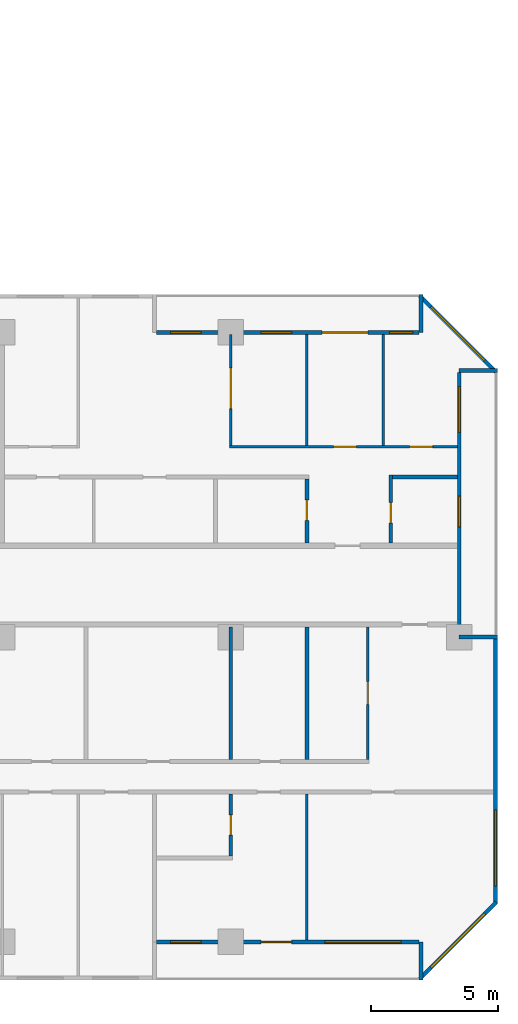
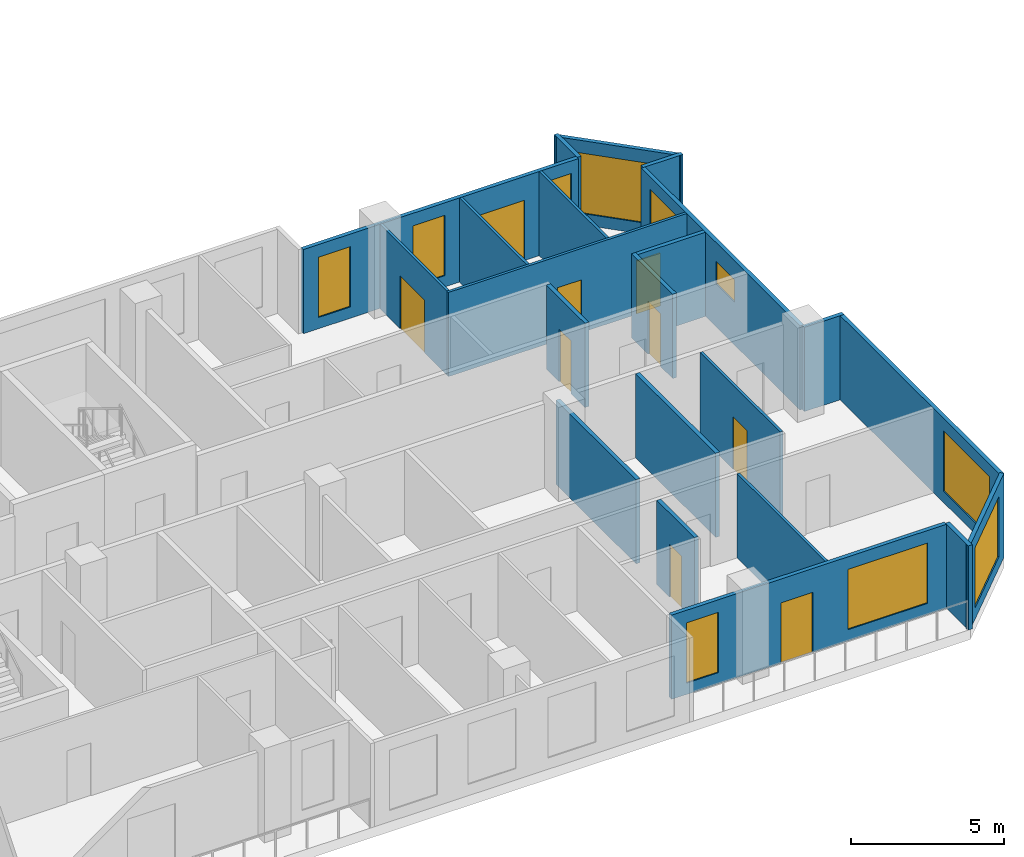
# One storey, part 12 of 15: 22 walls, 10 windows, 9 doors, 19 openings.
"""IFC4 building model written with IfcOpenShell, lengths in metres."""

from ifc_helpers import new_model, si_unit, direction, frame, frame_2d, origin, place, context, subcontext, project, spatial, rectangle, extrude, material, layer, layer_set, type_object, element, fill, save


model = new_model("IFC4")

# Units and contexts
model_context = context("Model", 3, precision=1e-05, world=origin(), true_north=direction((0.0, 1.0)))
body_context = subcontext(model_context, "Body", "Model", "MODEL_VIEW")
ifc_project = project(units=[si_unit("LENGTHUNIT", "METRE"), si_unit("AREAUNIT", "SQUARE_METRE"), si_unit("VOLUMEUNIT", "CUBIC_METRE"), si_unit("PLANEANGLEUNIT", "RADIAN"), si_unit("MASSUNIT", "GRAM", prefix="KILO")], contexts=[model_context])

# Site, building, storey
site_placement = place(None, origin())
site = spatial("IfcSite", under=ifc_project, at=site_placement, CompositionType="ELEMENT")
building_placement = place(site_placement, origin())
building = spatial("IfcBuilding", under=site, at=building_placement, Name="Chenar Terraces", CompositionType="ELEMENT")
storey_placement = place(building_placement, frame((0.0, 0.0, 133.14990234375)))
storey = spatial("IfcBuildingStorey", under=building, at=storey_placement, Name="L31", CompositionType="ELEMENT", Elevation=133.14990234375)

# Wall, opening, window
ifc_material_1 = material(Name="Aluminium framed glazing", Category="aluminium")
ifc_layer_1 = layer(ifc_material_1, 0.14990234375)
ifc_layer_set_1 = layer_set([ifc_layer_1], Name="Aluminium framed glazing")
wall_type_1 = type_object("IfcWallType", Name="Glazed flush facade wall 150", PredefinedType="SOLIDWALL", material=ifc_layer_set_1)
wall_1_placement = place(storey_placement, frame((73.425048828125, 1.5, 0.0), z_axis=(0.0, 0.0, 1.0), x_axis=(0.0, 1.0, 0.0)))
wall_1 = element("IfcWall", 1, at=wall_1_placement, inside=storey, type_object=wall_type_1, Name="Glazed flush facade wall", PredefinedType="SOLIDWALL", context=body_context, shape_type="SweptSolid", body=[
    extrude(rectangle(XDim=10.425048828125, YDim=0.14990234375, at=frame_2d((5.21240234375, 0.0))), origin(), (0.0, 0.0, 1.0), 3.35009765625),
])
opening_1_placement = place(wall_1_placement, frame((0.699951171875, 0.0, 0.449951171875)))
opening_1 = element("IfcOpeningElement", 2, at=opening_1_placement, cuts=wall_1, Name="Opening W300x240", PredefinedType="OPENING", context=body_context, shape_type="SweptSolid", body=[
    extrude(rectangle(XDim=3.0, YDim=2.39990234375, at=frame_2d((1.5, 1.199951171875))), frame((0.0, 0.0849609375, 0.0), z_axis=(0.0, -1.0, 0.0), x_axis=(1.0, 0.0, 0.0)), (0.0, 0.0, 1.0), 0.169921875),
])
ifc_material_2 = material(Name="Low emissivity double glazing, aluminium frame", Category="aluminium")
window_type_1 = type_object("IfcWindowType", Name="Fixed light 3000 x 2400", PartitioningType="SINGLE_PANEL", PredefinedType="WINDOW", material=ifc_material_2)
window_1_placement = place(opening_1_placement, origin())
window_1 = element("IfcWindow", 3, at=window_1_placement, inside=storey, type_object=window_type_1, Name="Window", OverallHeight=2.39990234375, OverallWidth=3.0, PartitioningType="SINGLE_PANEL", PredefinedType="WINDOW", context=body_context, shape_type="SweptSolid", body=[
    extrude(rectangle(XDim=3.0, YDim=2.39990234375, at=frame_2d((1.5, 1.199951171875))), frame((0.0, 0.030029296875, 0.0), z_axis=(0.0, -1.0, 0.0), x_axis=(1.0, 0.0, 0.0)), (0.0, 0.0, 1.0), 0.06005859375),
])
fill(opening_1, window_1)

# Wall, openings, windows, door
ifc_material_3 = material(Name="Aluminium framed glazing", Category="aluminium")
ifc_layer_2 = layer(ifc_material_3, 0.14990234375)
ifc_layer_set_2 = layer_set([ifc_layer_2], Name="Aluminium framed glazing")
wall_type_2 = type_object("IfcWallType", Name="Glazed loggia back wall 150", PredefinedType="SOLIDWALL", material=ifc_layer_set_2)
wall_2_placement = place(storey_placement, frame((70.425048828125, 24.0, 0.0), z_axis=(0.0, 0.0, 1.0), x_axis=(-1.0, 0.0, 0.0)))
wall_2 = element("IfcWall", 4, at=wall_2_placement, inside=storey, type_object=wall_type_2, Name="Glazed loggia back wall", PredefinedType="SOLIDWALL", context=body_context, shape_type="SweptSolid", body=[
    extrude(rectangle(XDim=10.35009765625, YDim=0.14990234375, at=frame_2d((5.175048828125, 0.0))), origin(), (0.0, 0.0, 1.0), 3.35009765625),
])
opening_2_placement = place(wall_2_placement, frame((0.262451171875, 0.0, 0.449951171875)))
opening_2 = element("IfcOpeningElement", 5, at=opening_2_placement, cuts=wall_2, Name="Opening W90x240", PredefinedType="OPENING", context=body_context, shape_type="SweptSolid", body=[
    extrude(rectangle(XDim=0.89990234375, YDim=2.39990234375, at=frame_2d((0.449951171875, 1.199951171875))), frame((0.0, 0.0849609375, 0.0), z_axis=(0.0, -1.0, 0.0), x_axis=(1.0, 0.0, 0.0)), (0.0, 0.0, 1.0), 0.169921875),
])
opening_3_placement = place(wall_2_placement, frame((2.02490234375, 0.0, 0.0)))
opening_3 = element("IfcOpeningElement", 6, at=opening_3_placement, cuts=wall_2, Name="Opening DL31-G1", PredefinedType="OPENING", context=body_context, shape_type="SweptSolid", body=[
    extrude(rectangle(XDim=1.800048828125, YDim=2.39990234375, at=frame_2d((0.89990234375, 1.199951171875))), frame((0.0, 0.0849609375, 0.0), z_axis=(0.0, -1.0, 0.0), x_axis=(1.0, 0.0, 0.0)), (0.0, 0.0, 1.0), 0.169921875),
])
opening_4_placement = place(wall_2_placement, frame((5.02490234375, 0.0, 0.449951171875)))
opening_4 = element("IfcOpeningElement", 7, at=opening_4_placement, cuts=wall_2, Name="Opening W120x240", PredefinedType="OPENING", context=body_context, shape_type="SweptSolid", body=[
    extrude(rectangle(XDim=1.199951171875, YDim=2.39990234375, at=frame_2d((0.60009765625, 1.199951171875))), frame((0.0, 0.0849609375, 0.0), z_axis=(0.0, -1.0, 0.0), x_axis=(1.0, 0.0, 0.0)), (0.0, 0.0, 1.0), 0.169921875),
])
opening_5_placement = place(wall_2_placement, frame((8.58740234375, 0.0, 0.449951171875)))
opening_5 = element("IfcOpeningElement", 8, at=opening_5_placement, cuts=wall_2, Name="Opening W120x240", PredefinedType="OPENING", context=body_context, shape_type="SweptSolid", body=[
    extrude(rectangle(XDim=1.199951171875, YDim=2.39990234375, at=frame_2d((0.60009765625, 1.199951171875))), frame((0.0, 0.0849609375, 0.0), z_axis=(0.0, -1.0, 0.0), x_axis=(1.0, 0.0, 0.0)), (0.0, 0.0, 1.0), 0.169921875),
])
ifc_material_4 = material(Name="Low emissivity double glazing, aluminium frame", Category="aluminium")
window_type_2 = type_object("IfcWindowType", Name="Fixed light 1200 x 2400", PartitioningType="SINGLE_PANEL", PredefinedType="WINDOW", material=ifc_material_4)
window_2_placement = place(opening_4_placement, origin())
window_2 = element("IfcWindow", 9, at=window_2_placement, inside=storey, type_object=window_type_2, Name="Window", OverallHeight=2.39990234375, OverallWidth=1.199951171875, PartitioningType="SINGLE_PANEL", PredefinedType="WINDOW", context=body_context, shape_type="SweptSolid", body=[
    extrude(rectangle(XDim=1.199951171875, YDim=2.39990234375, at=frame_2d((0.60009765625, 1.199951171875))), frame((0.0, 0.030029296875, 0.0), z_axis=(0.0, -1.0, 0.0), x_axis=(1.0, 0.0, 0.0)), (0.0, 0.0, 1.0), 0.06005859375),
])
fill(opening_4, window_2)
window_3_placement = place(opening_5_placement, origin())
window_3 = element("IfcWindow", 10, at=window_3_placement, inside=storey, type_object=window_type_2, Name="Window", OverallHeight=2.39990234375, OverallWidth=1.199951171875, PartitioningType="SINGLE_PANEL", PredefinedType="WINDOW", context=body_context, shape_type="SweptSolid", body=[
    extrude(rectangle(XDim=1.199951171875, YDim=2.39990234375, at=frame_2d((0.60009765625, 1.199951171875))), frame((0.0, 0.030029296875, 0.0), z_axis=(0.0, -1.0, 0.0), x_axis=(1.0, 0.0, 0.0)), (0.0, 0.0, 1.0), 0.06005859375),
])
fill(opening_5, window_3)
ifc_material_5 = material(Name="Low emissivity double glazing, aluminium frame", Category="aluminium")
window_type_3 = type_object("IfcWindowType", Name="Fixed light 900 x 2400", PartitioningType="SINGLE_PANEL", PredefinedType="WINDOW", material=ifc_material_5)
window_4_placement = place(opening_2_placement, origin())
window_4 = element("IfcWindow", 11, at=window_4_placement, inside=storey, type_object=window_type_3, Name="Window", OverallHeight=2.39990234375, OverallWidth=0.89990234375, PartitioningType="SINGLE_PANEL", PredefinedType="WINDOW", context=body_context, shape_type="SweptSolid", body=[
    extrude(rectangle(XDim=0.89990234375, YDim=2.39990234375, at=frame_2d((0.449951171875, 1.199951171875))), frame((0.0, 0.030029296875, 0.0), z_axis=(0.0, -1.0, 0.0), x_axis=(1.0, 0.0, 0.0)), (0.0, 0.0, 1.0), 0.06005859375),
])
fill(opening_2, window_4)
ifc_material_6 = material(Name="Low emissivity double glazing, aluminium frame", Category="aluminium")
door_type_1 = type_object("IfcDoorType", Name="Loggia glazed double door 1800 x 2400", OperationType="DOUBLE_DOOR_SINGLE_SWING", PredefinedType="DOOR", material=ifc_material_6)
door_1_placement = place(opening_3_placement, frame((1.800048828125, 0.0, 0.0), z_axis=(0.0, 0.0, 1.0), x_axis=(-1.0, 0.0, 0.0)))
door_1 = element("IfcDoor", 12, at=door_1_placement, inside=storey, type_object=door_type_1, Name="Loggia glazed door", OperationType="DOUBLE_DOOR_SINGLE_SWING", OverallHeight=2.39990234375, OverallWidth=1.800048828125, PredefinedType="DOOR", context=body_context, shape_type="SweptSolid", body=[
    extrude(rectangle(XDim=1.800048828125, YDim=2.39990234375, at=frame_2d((0.89990234375, 1.199951171875))), frame((0.0, 0.02490234375, 0.0), z_axis=(0.0, -1.0, 0.0), x_axis=(1.0, 0.0, 0.0)), (0.0, 0.0, 1.0), 0.050048828125),
])
fill(opening_3, door_1)

wall_3_placement = place(storey_placement, frame((60.074951171875, 0.0, 0.0), z_axis=(0.0, 0.0, 1.0), x_axis=(1.0, 0.0, 0.0)))
wall_3 = element("IfcWall", 13, at=wall_3_placement, inside=storey, type_object=wall_type_2, Name="Glazed loggia back wall", PredefinedType="SOLIDWALL", context=body_context, shape_type="SweptSolid", body=[
    extrude(rectangle(XDim=10.35009765625, YDim=0.14990234375, at=frame_2d((5.175048828125, 0.0))), origin(), (0.0, 0.0, 1.0), 3.35009765625),
])
opening_6_placement = place(wall_3_placement, frame((0.5625, 0.0, 0.449951171875)))
opening_6 = element("IfcOpeningElement", 14, at=opening_6_placement, cuts=wall_3, Name="Opening W120x240", PredefinedType="OPENING", context=body_context, shape_type="SweptSolid", body=[
    extrude(rectangle(XDim=1.199951171875, YDim=2.39990234375, at=frame_2d((0.60009765625, 1.199951171875))), frame((0.0, 0.0849609375, 0.0), z_axis=(0.0, -1.0, 0.0), x_axis=(1.0, 0.0, 0.0)), (0.0, 0.0, 1.0), 0.169921875),
])
opening_7_placement = place(wall_3_placement, frame((4.125, 0.0, 0.0)))
opening_7 = element("IfcOpeningElement", 15, at=opening_7_placement, cuts=wall_3, Name="Opening DL31-G7", PredefinedType="OPENING", context=body_context, shape_type="SweptSolid", body=[
    extrude(rectangle(XDim=1.199951171875, YDim=2.39990234375, at=frame_2d((0.60009765625, 1.199951171875))), frame((0.0, 0.0849609375, 0.0), z_axis=(0.0, -1.0, 0.0), x_axis=(1.0, 0.0, 0.0)), (0.0, 0.0, 1.0), 0.169921875),
])
opening_8_placement = place(wall_3_placement, frame((6.637451171875, 0.0, 0.449951171875)))
opening_8 = element("IfcOpeningElement", 16, at=opening_8_placement, cuts=wall_3, Name="Opening W300x240", PredefinedType="OPENING", context=body_context, shape_type="SweptSolid", body=[
    extrude(rectangle(XDim=3.0, YDim=2.39990234375, at=frame_2d((1.5, 1.199951171875))), frame((0.0, 0.0849609375, 0.0), z_axis=(0.0, -1.0, 0.0), x_axis=(1.0, 0.0, 0.0)), (0.0, 0.0, 1.0), 0.169921875),
])
window_5_placement = place(opening_6_placement, origin())
window_5 = element("IfcWindow", 17, at=window_5_placement, inside=storey, type_object=window_type_2, Name="Window", OverallHeight=2.39990234375, OverallWidth=1.199951171875, PartitioningType="SINGLE_PANEL", PredefinedType="WINDOW", context=body_context, shape_type="SweptSolid", body=[
    extrude(rectangle(XDim=1.199951171875, YDim=2.39990234375, at=frame_2d((0.60009765625, 1.199951171875))), frame((0.0, 0.030029296875, 0.0), z_axis=(0.0, -1.0, 0.0), x_axis=(1.0, 0.0, 0.0)), (0.0, 0.0, 1.0), 0.06005859375),
])
fill(opening_6, window_5)
window_6_placement = place(opening_8_placement, origin())
window_6 = element("IfcWindow", 18, at=window_6_placement, inside=storey, type_object=window_type_1, Name="Window", OverallHeight=2.39990234375, OverallWidth=3.0, PartitioningType="SINGLE_PANEL", PredefinedType="WINDOW", context=body_context, shape_type="SweptSolid", body=[
    extrude(rectangle(XDim=3.0, YDim=2.39990234375, at=frame_2d((1.5, 1.199951171875))), frame((0.0, 0.030029296875, 0.0), z_axis=(0.0, -1.0, 0.0), x_axis=(1.0, 0.0, 0.0)), (0.0, 0.0, 1.0), 0.06005859375),
])
fill(opening_8, window_6)
ifc_material_7 = material(Name="Low emissivity double glazing, aluminium frame", Category="aluminium")
door_type_2 = type_object("IfcDoorType", Name="Loggia glazed double door 1200 x 2400", OperationType="DOUBLE_DOOR_SINGLE_SWING", PredefinedType="DOOR", material=ifc_material_7)
door_2_placement = place(opening_7_placement, frame((1.199951171875, 0.0, 0.0), z_axis=(0.0, 0.0, 1.0), x_axis=(-1.0, 0.0, 0.0)))
door_2 = element("IfcDoor", 19, at=door_2_placement, inside=storey, type_object=door_type_2, Name="Loggia glazed door", OperationType="DOUBLE_DOOR_SINGLE_SWING", OverallHeight=2.39990234375, OverallWidth=1.199951171875, PredefinedType="DOOR", context=body_context, shape_type="SweptSolid", body=[
    extrude(rectangle(XDim=1.199951171875, YDim=2.39990234375, at=frame_2d((0.60009765625, 1.199951171875))), frame((0.0, 0.02490234375, 0.0), z_axis=(0.0, -1.0, 0.0), x_axis=(1.0, 0.0, 0.0)), (0.0, 0.0, 1.0), 0.050048828125),
])
fill(opening_7, door_2)

# Wall, openings, windows
wall_4_placement = place(storey_placement, frame((72.0, 12.074951171875, 0.0), z_axis=(0.0, 0.0, 1.0), x_axis=(0.0, 1.0, 0.0)))
wall_4 = element("IfcWall", 20, at=wall_4_placement, inside=storey, type_object=wall_type_2, Name="Glazed loggia back wall", PredefinedType="SOLIDWALL", context=body_context, shape_type="SweptSolid", body=[
    extrude(rectangle(XDim=10.35009765625, YDim=0.14990234375, at=frame_2d((5.175048828125, 0.0))), origin(), (0.0, 0.0, 1.0), 3.35009765625),
])
opening_9_placement = place(wall_4_placement, frame((4.27490234375, 0.0, 1.699951171875)))
opening_9 = element("IfcOpeningElement", 21, at=opening_9_placement, cuts=wall_4, Name="Opening W120x90", PredefinedType="OPENING", context=body_context, shape_type="SweptSolid", body=[
    extrude(rectangle(XDim=1.199951171875, YDim=0.89990234375, at=frame_2d((0.60009765625, 0.449951171875))), frame((0.0, 0.0849609375, 0.0), z_axis=(0.0, -1.0, 0.0), x_axis=(1.0, 0.0, 0.0)), (0.0, 0.0, 1.0), 0.169921875),
])
opening_10_placement = place(wall_4_placement, frame((7.987548828125, 0.0, 0.449951171875)))
opening_10 = element("IfcOpeningElement", 22, at=opening_10_placement, cuts=wall_4, Name="Opening W180x240", PredefinedType="OPENING", context=body_context, shape_type="SweptSolid", body=[
    extrude(rectangle(XDim=1.800048828125, YDim=2.39990234375, at=frame_2d((0.89990234375, 1.199951171875))), frame((0.0, 0.0849609375, 0.0), z_axis=(0.0, -1.0, 0.0), x_axis=(1.0, 0.0, 0.0)), (0.0, 0.0, 1.0), 0.169921875),
])
ifc_material_8 = material(Name="Low emissivity double glazing, aluminium frame", Category="aluminium")
window_type_4 = type_object("IfcWindowType", Name="Fixed light 1200 x 900", PartitioningType="SINGLE_PANEL", PredefinedType="WINDOW", material=ifc_material_8)
window_7_placement = place(opening_9_placement, origin())
window_7 = element("IfcWindow", 23, at=window_7_placement, inside=storey, type_object=window_type_4, Name="Window", OverallHeight=0.89990234375, OverallWidth=1.199951171875, PartitioningType="SINGLE_PANEL", PredefinedType="WINDOW", context=body_context, shape_type="SweptSolid", body=[
    extrude(rectangle(XDim=1.199951171875, YDim=0.89990234375, at=frame_2d((0.60009765625, 0.449951171875))), frame((0.0, 0.030029296875, 0.0), z_axis=(0.0, -1.0, 0.0), x_axis=(1.0, 0.0, 0.0)), (0.0, 0.0, 1.0), 0.06005859375),
])
fill(opening_9, window_7)
ifc_material_9 = material(Name="Low emissivity double glazing, aluminium frame", Category="aluminium")
window_type_5 = type_object("IfcWindowType", Name="Fixed light 1800 x 2400", PartitioningType="SINGLE_PANEL", PredefinedType="WINDOW", material=ifc_material_9)
window_8_placement = place(opening_10_placement, origin())
window_8 = element("IfcWindow", 24, at=window_8_placement, inside=storey, type_object=window_type_5, Name="Window", OverallHeight=2.39990234375, OverallWidth=1.800048828125, PartitioningType="SINGLE_PANEL", PredefinedType="WINDOW", context=body_context, shape_type="SweptSolid", body=[
    extrude(rectangle(XDim=1.800048828125, YDim=2.39990234375, at=frame_2d((0.89990234375, 1.199951171875))), frame((0.0, 0.030029296875, 0.0), z_axis=(0.0, -1.0, 0.0), x_axis=(1.0, 0.0, 0.0)), (0.0, 0.0, 1.0), 0.06005859375),
])
fill(opening_10, window_8)

# Wall, openings, doors
ifc_material_10 = material(Name="Gypsum board on steel studs", Category="steel")
ifc_layer_3 = layer(ifc_material_10, 0.10009765625)
ifc_layer_set_3 = layer_set([ifc_layer_3], Name="Gypsum board on steel studs")
wall_type_3 = type_object("IfcWallType", Name="Gypsum partition 100", PredefinedType="PARTITIONING", material=ifc_layer_set_3)
wall_5_placement = place(storey_placement, frame((62.949951171875, 19.5, 0.0), z_axis=(0.0, 0.0, 1.0), x_axis=(1.0, 0.0, 0.0)))
wall_5 = element("IfcWall", 25, at=wall_5_placement, inside=storey, type_object=wall_type_3, Name="Partition L31-092", PredefinedType="PARTITIONING", context=body_context, shape_type="SweptSolid", body=[
    extrude(rectangle(XDim=8.97607421875, YDim=0.10009765625, at=frame_2d((4.488037109375, 0.0))), origin(), (0.0, 0.0, 1.0), 3.35009765625),
])
opening_11_placement = place(wall_5_placement, frame((4.10009765625, 0.0, 0.0)))
opening_11 = element("IfcOpeningElement", 26, at=opening_11_placement, cuts=wall_5, Name="Opening DL31-5", PredefinedType="OPENING", context=body_context, shape_type="SweptSolid", body=[
    extrude(rectangle(XDim=0.89990234375, YDim=2.10009765625, at=frame_2d((0.449951171875, 1.050048828125))), frame((0.0, 0.06005859375, 0.0), z_axis=(0.0, -1.0, 0.0), x_axis=(1.0, 0.0, 0.0)), (0.0, 0.0, 1.0), 0.1201171875),
])
opening_12_placement = place(wall_5_placement, frame((7.10009765625, 0.0, 0.0)))
opening_12 = element("IfcOpeningElement", 27, at=opening_12_placement, cuts=wall_5, Name="Opening DL31-6", PredefinedType="OPENING", context=body_context, shape_type="SweptSolid", body=[
    extrude(rectangle(XDim=0.89990234375, YDim=2.10009765625, at=frame_2d((0.449951171875, 1.050048828125))), frame((0.0, 0.06005859375, 0.0), z_axis=(0.0, -1.0, 0.0), x_axis=(1.0, 0.0, 0.0)), (0.0, 0.0, 1.0), 0.1201171875),
])
ifc_material_11 = material(Name="Veneered timber door leaf", Category="wood")
door_type_3 = type_object("IfcDoorType", Name="Door 900 x 2100", OperationType="SINGLE_SWING_LEFT", PredefinedType="DOOR", material=ifc_material_11)
door_3_placement = place(opening_11_placement, origin())
door_3 = element("IfcDoor", 28, at=door_3_placement, inside=storey, type_object=door_type_3, Name="Door DL31-5", OperationType="SINGLE_SWING_LEFT", OverallHeight=2.10009765625, OverallWidth=0.89990234375, PredefinedType="DOOR", context=body_context, shape_type="SweptSolid", body=[
    extrude(rectangle(XDim=0.89990234375, YDim=2.10009765625, at=frame_2d((0.449951171875, 1.050048828125))), frame((0.0, 0.02490234375, 0.0), z_axis=(0.0, -1.0, 0.0), x_axis=(1.0, 0.0, 0.0)), (0.0, 0.0, 1.0), 0.050048828125),
])
fill(opening_11, door_3)
door_4_placement = place(opening_12_placement, origin())
door_4 = element("IfcDoor", 29, at=door_4_placement, inside=storey, type_object=door_type_3, Name="Door DL31-6", OperationType="SINGLE_SWING_LEFT", OverallHeight=2.10009765625, OverallWidth=0.89990234375, PredefinedType="DOOR", context=body_context, shape_type="SweptSolid", body=[
    extrude(rectangle(XDim=0.89990234375, YDim=2.10009765625, at=frame_2d((0.449951171875, 1.050048828125))), frame((0.0, 0.02490234375, 0.0), z_axis=(0.0, -1.0, 0.0), x_axis=(1.0, 0.0, 0.0)), (0.0, 0.0, 1.0), 0.050048828125),
])
fill(opening_12, door_4)

# Wall, opening, door
wall_6_placement = place(storey_placement, frame((63.0, 19.550048828125, 0.0), z_axis=(0.0, 0.0, 1.0), x_axis=(0.0, 1.0, 0.0)))
wall_6 = element("IfcWall", 30, at=wall_6_placement, inside=storey, type_object=wall_type_3, Name="Partition L31-095", PredefinedType="PARTITIONING", context=body_context, shape_type="SweptSolid", body=[
    extrude(rectangle(XDim=4.3759765625, YDim=0.10009765625, at=frame_2d((2.18798828125, 0.0))), origin(), (0.0, 0.0, 1.0), 3.35009765625),
])
opening_13_placement = place(wall_6_placement, frame((1.449951171875, 0.0, 0.0)))
opening_13 = element("IfcOpeningElement", 31, at=opening_13_placement, cuts=wall_6, Name="Opening DL31-10", PredefinedType="OPENING", context=body_context, shape_type="SweptSolid", body=[
    extrude(rectangle(XDim=1.60009765625, YDim=2.10009765625, at=frame_2d((0.800048828125, 1.050048828125))), frame((0.0, 0.06005859375, 0.0), z_axis=(0.0, -1.0, 0.0), x_axis=(1.0, 0.0, 0.0)), (0.0, 0.0, 1.0), 0.1201171875),
])
ifc_material_12 = material(Name="Veneered timber door leaf", Category="wood")
door_type_4 = type_object("IfcDoorType", Name="Double door 1600 x 2100", OperationType="DOUBLE_DOOR_SINGLE_SWING", PredefinedType="DOOR", material=ifc_material_12)
door_5_placement = place(opening_13_placement, frame((1.60009765625, 0.0, 0.0), z_axis=(0.0, 0.0, 1.0), x_axis=(-1.0, 0.0, 0.0)))
door_5 = element("IfcDoor", 32, at=door_5_placement, inside=storey, type_object=door_type_4, Name="Door DL31-10", OperationType="DOUBLE_DOOR_SINGLE_SWING", OverallHeight=2.10009765625, OverallWidth=1.60009765625, PredefinedType="DOOR", context=body_context, shape_type="SweptSolid", body=[
    extrude(rectangle(XDim=1.60009765625, YDim=2.10009765625, at=frame_2d((0.800048828125, 1.050048828125))), frame((0.0, 0.02490234375, 0.0), z_axis=(0.0, -1.0, 0.0), x_axis=(1.0, 0.0, 0.0)), (0.0, 0.0, 1.0), 0.050048828125),
])
fill(opening_13, door_5)

# Walls
wall_7_placement = place(storey_placement, frame((66.0, 0.073974609375, 0.0), z_axis=(0.0, 0.0, 1.0), x_axis=(0.0, 1.0, 0.0)))
element("IfcWall", 33, at=wall_7_placement, inside=storey, type_object=wall_type_3, Name="Partition L31-096", PredefinedType="PARTITIONING", context=body_context, shape_type="SweptSolid", body=[
    extrude(rectangle(XDim=5.7509765625, YDim=0.10009765625, at=frame_2d((2.87548828125, 0.0))), origin(), (0.0, 0.0, 1.0), 3.35009765625),
])
wall_8_placement = place(storey_placement, frame((66.0, 19.550048828125, 0.0), z_axis=(0.0, 0.0, 1.0), x_axis=(0.0, 1.0, 0.0)))
element("IfcWall", 34, at=wall_8_placement, inside=storey, type_object=wall_type_3, Name="Partition L31-099", PredefinedType="PARTITIONING", context=body_context, shape_type="SweptSolid", body=[
    extrude(rectangle(XDim=4.3759765625, YDim=0.10009765625, at=frame_2d((2.18798828125, 0.0))), origin(), (0.0, 0.0, 1.0), 3.35009765625),
])

# Wall, opening, door
wall_9_placement = place(storey_placement, frame((68.39990234375, 7.175048828125, 0.0), z_axis=(0.0, 0.0, 1.0), x_axis=(0.0, 1.0, 0.0)))
wall_9 = element("IfcWall", 35, at=wall_9_placement, inside=storey, type_object=wall_type_3, Name="Partition L31-100", PredefinedType="PARTITIONING", context=body_context, shape_type="SweptSolid", body=[
    extrude(rectangle(XDim=5.224853515625, YDim=0.10009765625, at=frame_2d((2.6123046875, 0.0))), origin(), (0.0, 0.0, 1.0), 3.35009765625),
])
opening_14_placement = place(wall_9_placement, frame((2.175048828125, 0.0, 0.0)))
opening_14 = element("IfcOpeningElement", 36, at=opening_14_placement, cuts=wall_9, Name="Opening DL31-26", PredefinedType="OPENING", context=body_context, shape_type="SweptSolid", body=[
    extrude(rectangle(XDim=0.89990234375, YDim=2.10009765625, at=frame_2d((0.449951171875, 1.050048828125))), frame((0.0, 0.06005859375, 0.0), z_axis=(0.0, -1.0, 0.0), x_axis=(1.0, 0.0, 0.0)), (0.0, 0.0, 1.0), 0.1201171875),
])
door_6_placement = place(opening_14_placement, origin())
door_6 = element("IfcDoor", 37, at=door_6_placement, inside=storey, type_object=door_type_3, Name="Door DL31-26", OperationType="SINGLE_SWING_RIGHT", OverallHeight=2.10009765625, OverallWidth=0.89990234375, PredefinedType="DOOR", context=body_context, shape_type="SweptSolid", body=[
    extrude(rectangle(XDim=0.89990234375, YDim=2.10009765625, at=frame_2d((0.449951171875, 1.050048828125))), frame((0.0, 0.02490234375, 0.0), z_axis=(0.0, -1.0, 0.0), x_axis=(1.0, 0.0, 0.0)), (0.0, 0.0, 1.0), 0.050048828125),
])
fill(opening_14, door_6)

# Walls
wall_10_placement = place(storey_placement, frame((69.0, 19.550048828125, 0.0), z_axis=(0.0, 0.0, 1.0), x_axis=(0.0, 1.0, 0.0)))
element("IfcWall", 38, at=wall_10_placement, inside=storey, type_object=wall_type_3, Name="Partition L31-101", PredefinedType="PARTITIONING", context=body_context, shape_type="SweptSolid", body=[
    extrude(rectangle(XDim=4.3759765625, YDim=0.10009765625, at=frame_2d((2.18798828125, 0.0))), origin(), (0.0, 0.0, 1.0), 3.35009765625),
])
ifc_material_13 = material(Name="Terracotta cladding on insulated backing", Category="masonry")
ifc_layer_4 = layer(ifc_material_13, 0.14990234375)
ifc_layer_set_4 = layer_set([ifc_layer_4], Name="Terracotta cladding on insulated backing")
wall_type_4 = type_object("IfcWallType", Name="Loggia return wall 150", PredefinedType="SOLIDWALL", material=ifc_layer_set_4)
for number, where, z_axis, x_axis, name in (
    (39, (70.5, 25.5, 0.0), (0.0, 0.0, 1.0), (0.0, -1.0, 0.0), "Loggia return wall"),
    (40, (70.5, -1.5, 0.0), (0.0, 0.0, 1.0), (0.0, 1.0, 0.0), "Loggia return wall"),
    (41, (73.5, 12.0, 0.0), (0.0, 0.0, 1.0), (-1.0, 0.0, 0.0), "Loggia return wall"),
    (42, (73.5, 22.5, 0.0), (0.0, 0.0, 1.0), (-1.0, 0.0, 0.0), "Loggia return wall"),
):
    element("IfcWall", number, at=place(storey_placement, frame(where, z_axis=z_axis, x_axis=x_axis)), inside=storey, type_object=wall_type_4, Name=name, PredefinedType="SOLIDWALL", context=body_context, shape_type="SweptSolid", body=[
        extrude(rectangle(XDim=1.5, YDim=0.14990234375, at=frame_2d((0.75, 0.0))), origin(), (0.0, 0.0, 1.0), 3.35009765625),
    ])

# Wall, opening, window
ifc_material_14 = material(Name="Terracotta cladding on insulated backing", Category="masonry")
ifc_layer_5 = layer(ifc_material_14, 0.14990234375)
ifc_layer_set_5 = layer_set([ifc_layer_5], Name="Terracotta cladding on insulated backing")
wall_type_5 = type_object("IfcWallType", Name="Terracotta rainscreen wall 150", PredefinedType="SOLIDWALL", material=ifc_layer_set_5)
wall_11_placement = place(storey_placement, frame((70.447021484375, -1.447021484375, 0.0), z_axis=(0.0, 0.0, 1.0), x_axis=(0.707106781187, 0.707106781187, 0.0)))
wall_11 = element("IfcWall", 43, at=wall_11_placement, inside=storey, type_object=wall_type_5, Name="Terracotta rainscreen wall", PredefinedType="SOLIDWALL", context=body_context, shape_type="SweptSolid", body=[
    extrude(rectangle(XDim=4.24267578125, YDim=0.14990234375, at=frame_2d((2.121337890625, 0.0))), origin(), (0.0, 0.0, 1.0), 3.35009765625),
])
opening_15_placement = place(wall_11_placement, frame((0.621337890625, 0.0, 0.449951171875)))
opening_15 = element("IfcOpeningElement", 44, at=opening_15_placement, cuts=wall_11, Name="Opening W300x240", PredefinedType="OPENING", context=body_context, shape_type="SweptSolid", body=[
    extrude(rectangle(XDim=3.0, YDim=2.39990234375, at=frame_2d((1.5, 1.199951171875))), frame((0.0, 0.0849609375, 0.0), z_axis=(0.0, -1.0, 0.0), x_axis=(1.0, 0.0, 0.0)), (0.0, 0.0, 1.0), 0.169921875),
])
window_9_placement = place(opening_15_placement, origin())
window_9 = element("IfcWindow", 45, at=window_9_placement, inside=storey, type_object=window_type_1, Name="Window", OverallHeight=2.39990234375, OverallWidth=3.0, PartitioningType="SINGLE_PANEL", PredefinedType="WINDOW", context=body_context, shape_type="SweptSolid", body=[
    extrude(rectangle(XDim=3.0, YDim=2.39990234375, at=frame_2d((1.5, 1.199951171875))), frame((0.0, 0.030029296875, 0.0), z_axis=(0.0, -1.0, 0.0), x_axis=(1.0, 0.0, 0.0)), (0.0, 0.0, 1.0), 0.06005859375),
])
fill(opening_15, window_9)

wall_12_placement = place(storey_placement, frame((73.447021484375, 22.447021484375, 0.0), z_axis=(0.0, 0.0, 1.0), x_axis=(-0.707106781187, 0.707106781187, 0.0)))
wall_12 = element("IfcWall", 46, at=wall_12_placement, inside=storey, type_object=wall_type_5, Name="Terracotta rainscreen wall", PredefinedType="SOLIDWALL", context=body_context, shape_type="SweptSolid", body=[
    extrude(rectangle(XDim=4.24267578125, YDim=0.14990234375, at=frame_2d((2.121337890625, 0.0))), origin(), (0.0, 0.0, 1.0), 3.35009765625),
])
opening_16_placement = place(wall_12_placement, frame((0.621337890625, 0.0, 0.449951171875)))
opening_16 = element("IfcOpeningElement", 47, at=opening_16_placement, cuts=wall_12, Name="Opening W300x240", PredefinedType="OPENING", context=body_context, shape_type="SweptSolid", body=[
    extrude(rectangle(XDim=3.0, YDim=2.39990234375, at=frame_2d((1.5, 1.199951171875))), frame((0.0, 0.0849609375, 0.0), z_axis=(0.0, -1.0, 0.0), x_axis=(1.0, 0.0, 0.0)), (0.0, 0.0, 1.0), 0.169921875),
])
window_10_placement = place(opening_16_placement, origin())
window_10 = element("IfcWindow", 48, at=window_10_placement, inside=storey, type_object=window_type_1, Name="Window", OverallHeight=2.39990234375, OverallWidth=3.0, PartitioningType="SINGLE_PANEL", PredefinedType="WINDOW", context=body_context, shape_type="SweptSolid", body=[
    extrude(rectangle(XDim=3.0, YDim=2.39990234375, at=frame_2d((1.5, 1.199951171875))), frame((0.0, 0.030029296875, 0.0), z_axis=(0.0, -1.0, 0.0), x_axis=(1.0, 0.0, 0.0)), (0.0, 0.0, 1.0), 0.06005859375),
])
fill(opening_16, window_10)

# Wall, opening, door
ifc_material_15 = material(Name="Moisture-resistant gypsum board on steel studs", Category="steel")
ifc_layer_6 = layer(ifc_material_15, 0.14990234375)
ifc_layer_set_6 = layer_set([ifc_layer_6], Name="Moisture-resistant gypsum board on steel studs")
wall_type_6 = type_object("IfcWallType", Name="Wet-room partition 150", PredefinedType="PARTITIONING", material=ifc_layer_set_6)
wall_13_placement = place(storey_placement, frame((63.0, 3.375, 0.0), z_axis=(0.0, 0.0, 1.0), x_axis=(0.0, 1.0, 0.0)))
wall_13 = element("IfcWall", 49, at=wall_13_placement, inside=storey, type_object=wall_type_6, Name="Partition L31-093", PredefinedType="PARTITIONING", context=body_context, shape_type="SweptSolid", body=[
    extrude(rectangle(XDim=2.449951171875, YDim=0.14990234375, at=frame_2d((1.22509765625, 0.0))), origin(), (0.0, 0.0, 1.0), 3.35009765625),
])
opening_17_placement = place(wall_13_placement, frame((0.824951171875, 0.0, 0.0)))
opening_17 = element("IfcOpeningElement", 50, at=opening_17_placement, cuts=wall_13, Name="Opening DL31-17", PredefinedType="OPENING", context=body_context, shape_type="SweptSolid", body=[
    extrude(rectangle(XDim=0.800048828125, YDim=2.10009765625, at=frame_2d((0.39990234375, 1.050048828125))), frame((0.0, 0.0849609375, 0.0), z_axis=(0.0, -1.0, 0.0), x_axis=(1.0, 0.0, 0.0)), (0.0, 0.0, 1.0), 0.169921875),
])
ifc_material_16 = material(Name="Veneered timber door leaf", Category="wood")
door_type_5 = type_object("IfcDoorType", Name="Door 800 x 2100", OperationType="SINGLE_SWING_LEFT", PredefinedType="DOOR", material=ifc_material_16)
door_7_placement = place(opening_17_placement, origin())
door_7 = element("IfcDoor", 51, at=door_7_placement, inside=storey, type_object=door_type_5, Name="Door DL31-17", OperationType="SINGLE_SWING_RIGHT", OverallHeight=2.10009765625, OverallWidth=0.800048828125, PredefinedType="DOOR", context=body_context, shape_type="SweptSolid", body=[
    extrude(rectangle(XDim=0.800048828125, YDim=2.10009765625, at=frame_2d((0.39990234375, 1.050048828125))), frame((0.0, 0.02490234375, 0.0), z_axis=(0.0, -1.0, 0.0), x_axis=(1.0, 0.0, 0.0)), (0.0, 0.0, 1.0), 0.050048828125),
])
fill(opening_17, door_7)

# Walls
for number, where, z_axis, x_axis, name in (
    (52, (63.0, 7.175048828125, 0.0), (0.0, 0.0, 1.0), (0.0, 1.0, 0.0), "Partition L31-094"),
    (53, (66.0, 7.175048828125, 0.0), (0.0, 0.0, 1.0), (0.0, 1.0, 0.0), "Partition L31-097"),
):
    element("IfcWall", number, at=place(storey_placement, frame(where, z_axis=z_axis, x_axis=x_axis)), inside=storey, type_object=wall_type_6, Name=name, PredefinedType="PARTITIONING", context=body_context, shape_type="SweptSolid", body=[
        extrude(rectangle(XDim=5.224853515625, YDim=0.14990234375, at=frame_2d((2.6123046875, 0.0))), origin(), (0.0, 0.0, 1.0), 3.35009765625),
    ])

# Wall, opening, door
wall_14_placement = place(storey_placement, frame((66.0, 15.699951171875, 0.0), z_axis=(0.0, 0.0, 1.0), x_axis=(0.0, 1.0, 0.0)))
wall_14 = element("IfcWall", 54, at=wall_14_placement, inside=storey, type_object=wall_type_6, Name="Partition L31-098", PredefinedType="PARTITIONING", context=body_context, shape_type="SweptSolid", body=[
    extrude(rectangle(XDim=2.525146484375, YDim=0.14990234375, at=frame_2d((1.2626953125, 0.0))), origin(), (0.0, 0.0, 1.0), 3.35009765625),
])
opening_18_placement = place(wall_14_placement, frame((0.89990234375, 0.0, 0.0)))
opening_18 = element("IfcOpeningElement", 55, at=opening_18_placement, cuts=wall_14, Name="Opening DL31-4", PredefinedType="OPENING", context=body_context, shape_type="SweptSolid", body=[
    extrude(rectangle(XDim=0.800048828125, YDim=2.10009765625, at=frame_2d((0.39990234375, 1.050048828125))), frame((0.0, 0.0849609375, 0.0), z_axis=(0.0, -1.0, 0.0), x_axis=(1.0, 0.0, 0.0)), (0.0, 0.0, 1.0), 0.169921875),
])
door_8_placement = place(opening_18_placement, origin())
door_8 = element("IfcDoor", 56, at=door_8_placement, inside=storey, type_object=door_type_5, Name="Door DL31-4", OperationType="SINGLE_SWING_RIGHT", OverallHeight=2.10009765625, OverallWidth=0.800048828125, PredefinedType="DOOR", context=body_context, shape_type="SweptSolid", body=[
    extrude(rectangle(XDim=0.800048828125, YDim=2.10009765625, at=frame_2d((0.39990234375, 1.050048828125))), frame((0.0, 0.02490234375, 0.0), z_axis=(0.0, -1.0, 0.0), x_axis=(1.0, 0.0, 0.0)), (0.0, 0.0, 1.0), 0.050048828125),
])
fill(opening_18, door_8)

wall_15_placement = place(storey_placement, frame((69.300048828125, 15.699951171875, 0.0), z_axis=(0.0, 0.0, 1.0), x_axis=(0.0, 1.0, 0.0)))
wall_15 = element("IfcWall", 57, at=wall_15_placement, inside=storey, type_object=wall_type_6, Name="Partition L31-102", PredefinedType="PARTITIONING", context=body_context, shape_type="SweptSolid", body=[
    extrude(rectangle(XDim=2.675048828125, YDim=0.14990234375, at=frame_2d((1.33740234375, 0.0))), origin(), (0.0, 0.0, 1.0), 3.35009765625),
])
opening_19_placement = place(wall_15_placement, frame((0.800048828125, 0.0, 0.0)))
opening_19 = element("IfcOpeningElement", 58, at=opening_19_placement, cuts=wall_15, Name="Opening DL31-8", PredefinedType="OPENING", context=body_context, shape_type="SweptSolid", body=[
    extrude(rectangle(XDim=0.800048828125, YDim=2.10009765625, at=frame_2d((0.39990234375, 1.050048828125))), frame((0.0, 0.0849609375, 0.0), z_axis=(0.0, -1.0, 0.0), x_axis=(1.0, 0.0, 0.0)), (0.0, 0.0, 1.0), 0.169921875),
])
door_9_placement = place(opening_19_placement, frame((0.800048828125, 0.0, 0.0), z_axis=(0.0, 0.0, 1.0), x_axis=(-1.0, 0.0, 0.0)))
door_9 = element("IfcDoor", 59, at=door_9_placement, inside=storey, type_object=door_type_5, Name="Door DL31-8", OperationType="SINGLE_SWING_RIGHT", OverallHeight=2.10009765625, OverallWidth=0.800048828125, PredefinedType="DOOR", context=body_context, shape_type="SweptSolid", body=[
    extrude(rectangle(XDim=0.800048828125, YDim=2.10009765625, at=frame_2d((0.39990234375, 1.050048828125))), frame((0.0, 0.02490234375, 0.0), z_axis=(0.0, -1.0, 0.0), x_axis=(1.0, 0.0, 0.0)), (0.0, 0.0, 1.0), 0.050048828125),
])
fill(opening_19, door_9)

# Wall
wall_16_placement = place(storey_placement, frame((69.375, 18.300048828125, 0.0), z_axis=(0.0, 0.0, 1.0), x_axis=(1.0, 0.0, 0.0)))
element("IfcWall", 60, at=wall_16_placement, inside=storey, type_object=wall_type_6, Name="Partition L31-103", PredefinedType="PARTITIONING", context=body_context, shape_type="SweptSolid", body=[
    extrude(rectangle(XDim=2.551025390625, YDim=0.14990234375, at=frame_2d((1.275390625, 0.0))), origin(), (0.0, 0.0, 1.0), 3.35009765625),
])

save(model, "model.ifc")
